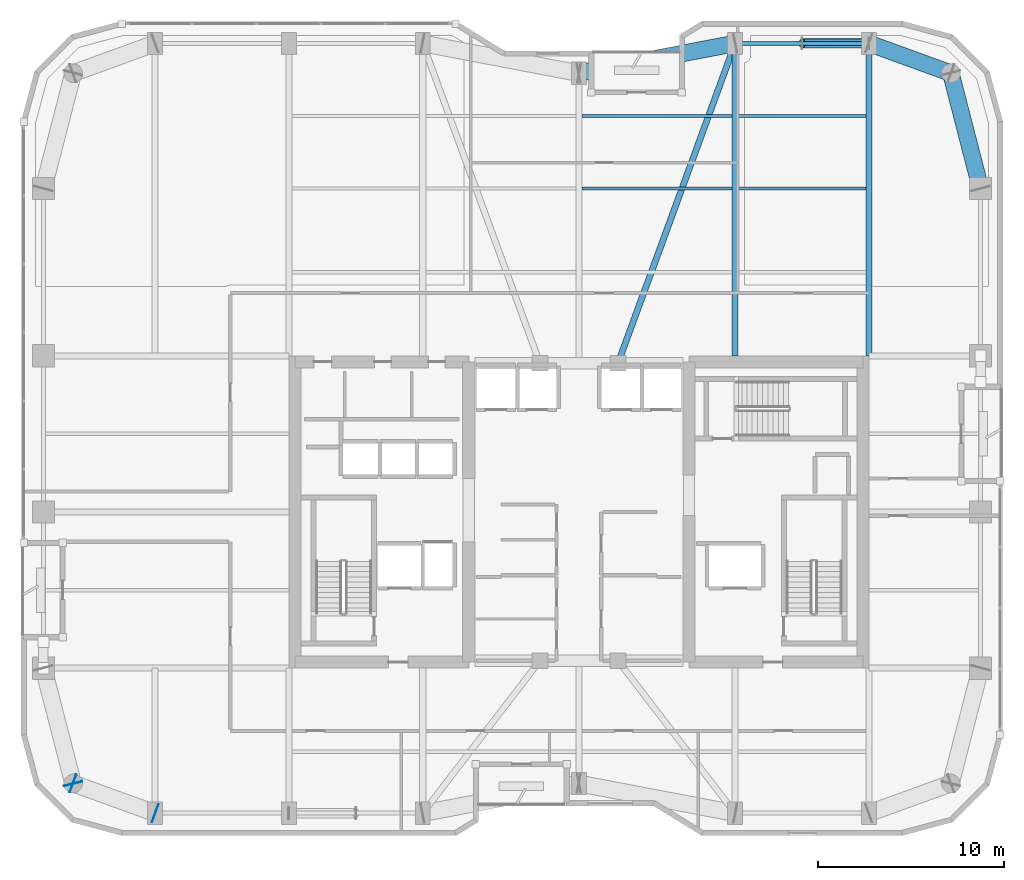
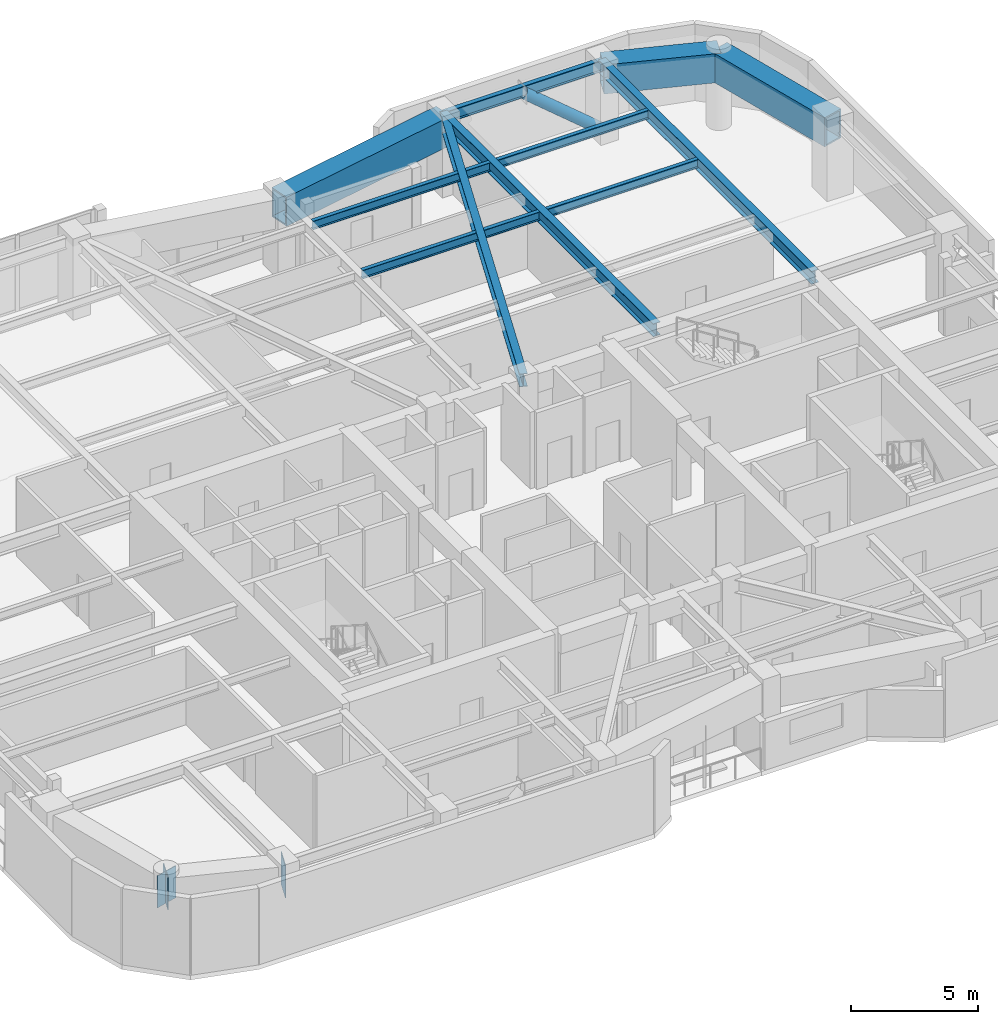
# One storey, part 20 of 30: 11 beams, 3 plates, 1 member.
"""IFC4 building model written with IfcOpenShell, lengths in metres."""

from ifc_helpers import new_model, si_unit, direction, frame, origin, origin_2d, place, context, subcontext, project, spatial, rectangle, hollow_rectangle, hollow_circle, i_section, extrude, material, layer, layer_set, material_profile, profile_set, type_object, element, save


model = new_model("IFC4")

# Units and contexts
model_context = context("Model", 3, precision=1e-05, world=origin(), true_north=direction((0.0, 1.0)))
body_context = subcontext(model_context, "Body", "Model", "MODEL_VIEW")
ifc_project = project(units=[si_unit("LENGTHUNIT", "METRE"), si_unit("AREAUNIT", "SQUARE_METRE"), si_unit("VOLUMEUNIT", "CUBIC_METRE"), si_unit("PLANEANGLEUNIT", "RADIAN"), si_unit("MASSUNIT", "GRAM", prefix="KILO")], contexts=[model_context])

# Site, building, storey
site_placement = place(None, origin())
site = spatial("IfcSite", under=ifc_project, at=site_placement, CompositionType="ELEMENT")
building_placement = place(site_placement, origin())
building = spatial("IfcBuilding", under=site, at=building_placement, Name="Kiyonajd Concourse Tower", CompositionType="ELEMENT")
storey_placement = place(building_placement, frame((0.0, 0.0, 190.199951171875)))
storey = spatial("IfcBuildingStorey", under=building, at=storey_placement, Name="L48", CompositionType="ELEMENT", Elevation=190.199951171875)

# Beams
ifc_material_1 = material(Name="Steel ASTM A992 Grade 50", Category="steel")
ifc_material_profile_1 = material_profile(ifc_material_1, i_section(OverallWidth=0.180908203125, OverallDepth=0.4169921875, WebThickness=0.010986328125, FlangeThickness=0.018310546875, at=origin_2d()), Name="W410X85")
ifc_profile_set_1 = profile_set([ifc_material_profile_1], Name="Steel ASTM A992 Grade 50")
beam_type_1 = type_object("IfcBeamType", Name="BM-JST-410", PredefinedType="JOIST", material=ifc_profile_set_1)
beam_1_placement = place(storey_placement, frame((48.16357421875, 53.39990234375, 3.471435546875), z_axis=(1.0, 0.0, 0.0), x_axis=(0.0, 1.0, 0.0)))
element("IfcBeam", 1, at=beam_1_placement, inside=storey, type_object=beam_type_1, Name="L48 Secondary Floor Joist", PredefinedType="JOIST", context=body_context, shape_type="SweptSolid", body=[
    extrude(i_section(OverallWidth=0.180908203125, OverallDepth=0.4169921875, WebThickness=0.010986328125, FlangeThickness=0.018310546875, at=origin_2d()), origin(), (0.0, 0.0, 1.0), 8.072998046875),
])
beam_2_placement = place(storey_placement, frame((56.5634765625, 53.39990234375, 3.471435546875), z_axis=(1.0, 0.0, 0.0), x_axis=(0.0, 1.0, 0.0)))
element("IfcBeam", 2, at=beam_2_placement, inside=storey, type_object=beam_type_1, Name="L48 Secondary Floor Joist", PredefinedType="JOIST", context=body_context, shape_type="SweptSolid", body=[
    extrude(i_section(OverallWidth=0.180908203125, OverallDepth=0.4169921875, WebThickness=0.010986328125, FlangeThickness=0.018310546875, at=origin_2d()), origin(), (0.0, 0.0, 1.0), 6.873046875),
])
beam_3_placement = place(storey_placement, frame((48.16357421875, 57.300048828125, 3.471435546875), z_axis=(1.0, 0.0, 0.0), x_axis=(0.0, 1.0, 0.0)))
element("IfcBeam", 3, at=beam_3_placement, inside=storey, type_object=beam_type_1, Name="L48 Secondary Floor Joist", PredefinedType="JOIST", context=body_context, shape_type="SweptSolid", body=[
    extrude(i_section(OverallWidth=0.180908203125, OverallDepth=0.4169921875, WebThickness=0.010986328125, FlangeThickness=0.018310546875, at=origin_2d()), origin(), (0.0, 0.0, 1.0), 8.072998046875),
])
beam_4_placement = place(storey_placement, frame((56.5634765625, 57.300048828125, 3.471435546875), z_axis=(1.0, 0.0, 0.0), x_axis=(0.0, 1.0, 0.0)))
element("IfcBeam", 4, at=beam_4_placement, inside=storey, type_object=beam_type_1, Name="L48 Secondary Floor Joist", PredefinedType="JOIST", context=body_context, shape_type="SweptSolid", body=[
    extrude(i_section(OverallWidth=0.180908203125, OverallDepth=0.4169921875, WebThickness=0.010986328125, FlangeThickness=0.018310546875, at=origin_2d()), origin(), (0.0, 0.0, 1.0), 6.873046875),
])
ifc_material_profile_2 = material_profile(ifc_material_1, i_section(OverallWidth=0.214111328125, OverallDepth=0.549072265625, WebThickness=0.0146484375, FlangeThickness=0.023681640625, at=origin_2d()), Name="W530X138")
ifc_profile_set_2 = profile_set([ifc_material_profile_2], Name="Steel ASTM A992 Grade 50")
beam_type_2 = type_object("IfcBeamType", Name="BM-SPAN-530A", PredefinedType="SPANDREL", material=ifc_profile_set_2)
beam_5_placement = place(storey_placement, frame((63.60009765625, 61.199951171875, 3.405517578125), z_axis=(-1.0, 0.0, 0.0), x_axis=(0.0, -1.0, 0.0)))
element("IfcBeam", 5, at=beam_5_placement, inside=storey, type_object=beam_type_2, Name="L48 Perimeter Bundled Tube Spandrel", PredefinedType="SPANDREL", context=body_context, shape_type="SweptSolid", body=[
    extrude(i_section(OverallWidth=0.214111328125, OverallDepth=0.549072265625, WebThickness=0.0146484375, FlangeThickness=0.023681640625, at=origin_2d()), origin(), (0.0, 0.0, 1.0), 7.2001953125),
])
ifc_material_profile_3 = material_profile(ifc_material_1, i_section(OverallWidth=0.326904296875, OverallDepth=0.6220703125, WebThickness=0.015380859375, FlangeThickness=0.0244140625, at=origin_2d()), Name="W610X195")
ifc_profile_set_3 = profile_set([ifc_material_profile_3], Name="Steel ASTM A992 Grade 50")
beam_type_3 = type_object("IfcBeamType", Name="BM-TWR-610A", PredefinedType="BEAM", material=ifc_profile_set_3)
beam_6_placement = place(storey_placement, frame((50.10009765625, 44.0, 3.369140625), z_axis=(0.343925269715, 0.938997022813, 0.0), x_axis=(-0.938997022813, 0.343925269715, 0.0)))
element("IfcBeam", 6, at=beam_6_placement, inside=storey, type_object=beam_type_3, Name="L48 Core Tie Girder", PredefinedType="BEAM", context=body_context, shape_type="SweptSolid", body=[
    extrude(i_section(OverallWidth=0.326904296875, OverallDepth=0.6220703125, WebThickness=0.015380859375, FlangeThickness=0.0244140625, at=origin_2d()), origin(), (0.0, 0.0, 1.0), 18.3173828125),
])
for number, where, z_axis, x_axis, name in (
    (7, (56.39990234375, 44.39990234375, 3.369140625), (0.0, 1.0, 0.0), (-1.0, 0.0, 0.0), "L48 North Lease Girder"),
    (8, (63.60009765625, 44.39990234375, 3.369140625), (0.0, 1.0, 0.0), (-1.0, 0.0, 0.0), "L48 North Lease Girder"),
):
    element("IfcBeam", number, at=place(storey_placement, frame(where, z_axis=z_axis, x_axis=x_axis)), inside=storey, type_object=beam_type_3, Name=name, PredefinedType="BEAM", context=body_context, shape_type="SweptSolid", body=[
        extrude(i_section(OverallWidth=0.326904296875, OverallDepth=0.6220703125, WebThickness=0.015380859375, FlangeThickness=0.0244140625, at=origin_2d()), origin(), (0.0, 0.0, 1.0), 16.800048828125),
    ])
ifc_material_2 = material(Name="Steel ASTM A572 Grade 50", Category="steel")
ifc_material_profile_4 = material_profile(ifc_material_2, hollow_rectangle(XDim=0.89990234375, YDim=1.39990234375, WallThickness=0.070068359375, at=origin_2d()), Name="BOX-1400x900x70")
ifc_profile_set_4 = profile_set([ifc_material_profile_4], Name="Steel ASTM A572 Grade 50")
beam_type_4 = type_object("IfcBeamType", Name="BM-XFER-1400", PredefinedType="BEAM", material=ifc_profile_set_4)
beam_7_placement = place(storey_placement, frame((69.60009765625, 53.39990234375, 2.97998046875), z_axis=(-0.249884937687, 0.968275538221, 0.0), x_axis=(-0.968275538221, -0.249884937687, 0.0)))
element("IfcBeam", 9, at=beam_7_placement, inside=storey, type_object=beam_type_4, Name="L48 Perimeter Bundled Tube Spandrel", PredefinedType="BEAM", context=body_context, shape_type="SweptSolid", body=[
    extrude(hollow_rectangle(XDim=0.89990234375, YDim=1.39990234375, WallThickness=0.070068359375, at=origin_2d()), origin(), (0.0, 0.0, 1.0), 6.4033203125),
])
beam_8_placement = place(storey_placement, frame((68.0, 59.60009765625, 2.97998046875), z_axis=(-0.939801036019, 0.341722127901, 0.0), x_axis=(-0.341722127901, -0.939801036019, 0.0)))
element("IfcBeam", 10, at=beam_8_placement, inside=storey, type_object=beam_type_4, Name="L48 Perimeter Bundled Tube Spandrel", PredefinedType="BEAM", context=body_context, shape_type="SweptSolid", body=[
    extrude(hollow_rectangle(XDim=0.89990234375, YDim=1.39990234375, WallThickness=0.070068359375, at=origin_2d()), origin(), (0.0, 0.0, 1.0), 4.681640625),
])
beam_9_placement = place(storey_placement, frame((56.39990234375, 61.199951171875, 2.97998046875), z_axis=(-0.982341315253, -0.187097675953, 0.0), x_axis=(0.187097675953, -0.982341315253, 0.0)))
element("IfcBeam", 11, at=beam_9_placement, inside=storey, type_object=beam_type_4, Name="L48 Perimeter Bundled Tube Spandrel", PredefinedType="BEAM", context=body_context, shape_type="SweptSolid", body=[
    extrude(hollow_rectangle(XDim=0.89990234375, YDim=1.39990234375, WallThickness=0.070068359375, at=origin_2d()), origin(), (0.0, 0.0, 1.0), 8.55078125),
])

# Member
ifc_material_3 = material(Name="Steel ASTM A500 Grade C", Category="steel")
ifc_material_profile_5 = material_profile(ifc_material_3, hollow_circle(Radius=0.25390625, WallThickness=0.02197265625, at=origin_2d()), Name="CHS-508x22")
ifc_profile_set_5 = profile_set([ifc_material_profile_5], Name="Steel ASTM A500 Grade C")
member_type = type_object("IfcMemberType", Name="MB-PB-MID", PredefinedType="BRACE", material=ifc_profile_set_5)
member_placement = place(storey_placement, frame((63.60009765625, 61.199951171875, 0.300048828125), z_axis=(-0.765082043761, 0.0, 0.643932811957), x_axis=(0.0, -1.0, 0.0)))
element("IfcMember", 12, at=member_placement, inside=storey, type_object=member_type, Name="L48 Upper Zone Hollow Tube Brace PBN", PredefinedType="BRACE", context=body_context, shape_type="SweptSolid", body=[
    extrude(hollow_circle(Radius=0.25390625, WallThickness=0.02197265625, at=origin_2d()), origin(), (0.0, 0.0, 1.0), 4.70556640625),
])

# Plates
ifc_layer = layer(ifc_material_2, 0.031982421875)
ifc_layer_set = layer_set([ifc_layer], Name="Steel ASTM A572 Grade 50")
plate_type = type_object("IfcPlateType", Name="PL-CAP-540", PredefinedType="USERDEFINED", material=ifc_layer_set)
for number, where, z_axis, x_axis, name in (
    (13, (20.802734375, 21.389404296875, 2.2099609375), (0.0, 0.0, 1.0), (0.249873048837, -0.968278606324, 0.0), "L48 Welded Box Girder End Cap"),
    (14, (20.789794921875, 21.40380859375, 2.2099609375), (0.0, 0.0, 1.0), (-0.939811951086, 0.341692107891, 0.0), "L48 Welded Box Girder End Cap"),
    (15, (25.210205078125, 19.796142578125, 2.2099609375), (0.0, 0.0, 1.0), (0.939811951086, -0.341692107891, 0.0), "L48 Welded Box Girder End Cap"),
):
    element("IfcPlate", number, at=place(storey_placement, frame(where, z_axis=z_axis, x_axis=x_axis)), inside=storey, type_object=plate_type, Name=name, ObjectType="CAP PLATE", PredefinedType="USERDEFINED", context=body_context, shape_type="SweptSolid", body=[
        extrude(rectangle(XDim=0.035888671875, YDim=1.02001953125, at=origin_2d()), origin(), (0.0, 0.0, 1.0), 1.5400390625),
    ])

save(model, "model.ifc")
